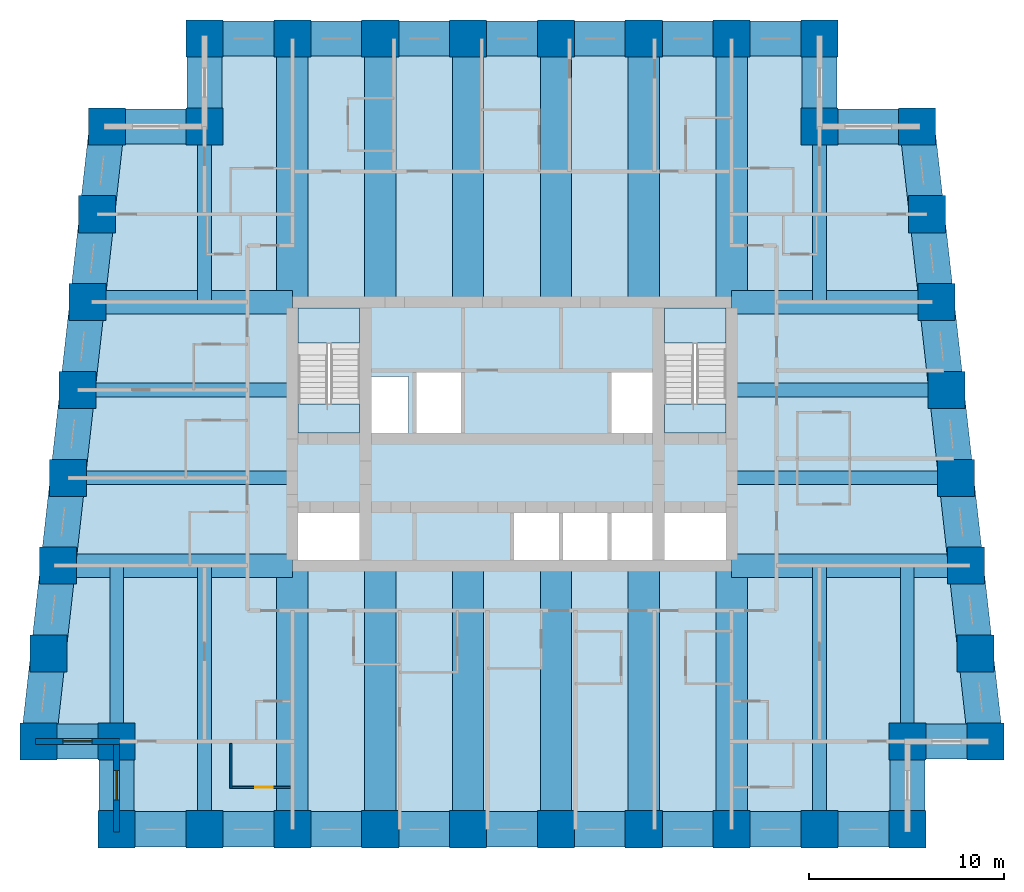
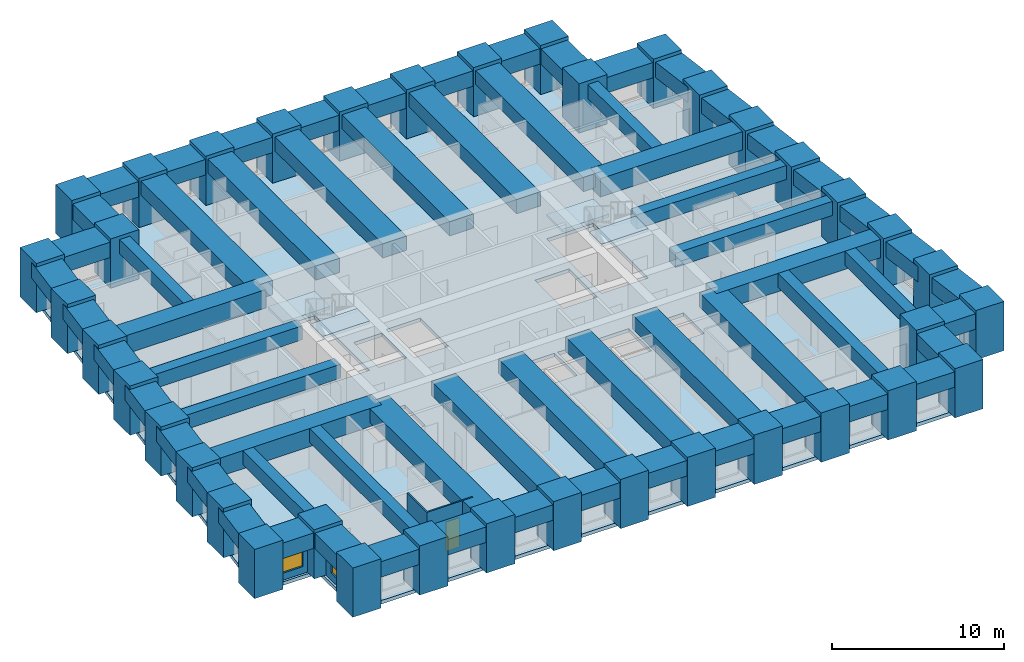
# One storey, part 1 of 8: 64 beams, 38 columns, 5 slabs, 4 walls, 2 windows, 1 door, 3 openings, 2 elements without a shape of their own.
"""IFC4 building model written with IfcOpenShell, lengths in metres."""

import ifcopenshell
import ifcopenshell.guid

model = None  # the IFC model being written
_history = None  # IfcOwnerHistory: only IFC2X3 demands one
_inside = {}  # id of a spatial element -> (the spatial element, [elements in it])
_under = {}  # id of a project, library or spatial element -> (it, [spatial elements below it])
_declared = {}  # id of a project -> (the project, [libraries it declares])
_typed = {}  # id of a type object -> (the type object, [elements of that type])
_made_of = {}  # id of a material, layer set ... -> (it, [elements and type objects made of it])


def new_model(schema):
    """Start an empty IFC model of exactly this schema.

    Asked for "IFC4X3", IfcOpenShell would pick the latest addendum, in which some entities
    have other attributes; the version numbers below select the first issue.
    IFC2X3 requires an IfcOwnerHistory on every rooted entity: one is made here for all.
    """
    global model, _history
    if schema == "IFC4X3":
        model = ifcopenshell.file(schema_version=(4, 3, 0, 0))
    else:
        model = ifcopenshell.file(schema=schema)
    _inside.clear()
    _under.clear()
    _declared.clear()
    _typed.clear()
    _made_of.clear()
    _history = None
    if model.schema == "IFC2X3":
        org = make("IfcOrganization", Name="unknown")
        user = make(
            "IfcPersonAndOrganization",
            ThePerson=make("IfcPerson", FamilyName="unknown"),
            TheOrganization=org,
        )
        app = make(
            "IfcApplication",
            ApplicationDeveloper=org,
            Version="unknown",
            ApplicationFullName="unknown",
            ApplicationIdentifier="unknown",
        )
        _history = make(
            "IfcOwnerHistory",
            OwningUser=user,
            OwningApplication=app,
            ChangeAction="ADDED",
            CreationDate=0,
        )
    return model


def make(cls, **values):
    """One entity of the class cls with the attributes given. An attribute that is None is left unset."""
    return model.create_entity(
        cls, **{name: value for name, value in values.items() if value is not None}
    )


def rooted(cls, **values):
    """An entity with a GlobalId (a new one), such as an element, a storey or a relation."""
    return make(cls, GlobalId=ifcopenshell.guid.new(), OwnerHistory=_history, **values)


def si_unit(unit_type, name, prefix=None):
    """IfcSIUnit, for example si_unit("LENGTHUNIT", "METRE", prefix="MILLI")."""
    return make("IfcSIUnit", UnitType=unit_type, Prefix=prefix, Name=name)


def assignment(units):
    """IfcUnitAssignment: the units of a project."""
    return None if units is None else make("IfcUnitAssignment", Units=units)


def point(xyz):
    """IfcCartesianPoint."""
    return None if xyz is None else make("IfcCartesianPoint", Coordinates=xyz)


def direction(xyz):
    """IfcDirection."""
    return None if xyz is None else make("IfcDirection", DirectionRatios=xyz)


def frame(location, z_axis=None, x_axis=None):
    """IfcAxis2Placement3D, a coordinate frame: its origin and axes. An axis left out is left unset."""
    return make(
        "IfcAxis2Placement3D",
        Location=point(location),
        Axis=direction(z_axis),
        RefDirection=direction(x_axis),
    )


def frame_2d(location, x_axis=None):
    """IfcAxis2Placement2D, a coordinate frame in the plane: its origin and x axis."""
    return make(
        "IfcAxis2Placement2D", Location=point(location), RefDirection=direction(x_axis)
    )


def origin():
    """The frame at (0, 0, 0) with its axes left unset."""
    return frame((0.0, 0.0, 0.0))


def origin_2d():
    """The frame at (0, 0) in the plane with its x axis left unset."""
    return frame_2d((0.0, 0.0))


def place(relative_to, where):
    """IfcLocalPlacement: puts the frame where relative to a parent placement (None: the world)."""
    return make(
        "IfcLocalPlacement", PlacementRelTo=relative_to, RelativePlacement=where
    )


def context(
    kind, dimensions, precision=None, world=None, true_north=None, identifier=None
):
    """IfcGeometricRepresentationContext, for example the 3D "Model" context."""
    return make(
        "IfcGeometricRepresentationContext",
        ContextIdentifier=identifier,
        ContextType=kind,
        CoordinateSpaceDimension=dimensions,
        Precision=precision,
        WorldCoordinateSystem=world,
        TrueNorth=true_north,
    )


def subcontext(parent, identifier, kind, view, scale=None):
    """IfcGeometricRepresentationSubContext, for example "Body" below "Model"."""
    return make(
        "IfcGeometricRepresentationSubContext",
        ContextIdentifier=identifier,
        ContextType=kind,
        ParentContext=parent,
        TargetScale=scale,
        TargetView=view,
    )


def project(units=None, contexts=None):
    """IfcProject with its units and contexts."""
    return rooted(
        "IfcProject",
        Name="project",
        RepresentationContexts=contexts,
        UnitsInContext=assignment(units),
    )


def spatial(cls, under=None, at=None, **own):
    """A site, building, storey or space (cls), placed at a placement, below another one or the project."""
    s = rooted(cls, ObjectPlacement=at, **own)
    if under is not None:
        _under.setdefault(under.id(), (under, []))[1].append(s)
    return s


def polyline(points):
    """IfcPolyline through the points."""
    return make("IfcPolyline", Points=[point(p) for p in points])


def profile(cls, at=None, kind="AREA", **sizes):
    """A parametric profile (cls). Its sizes go by their IFC names, for example OverallWidth=200.0."""
    return make(cls, ProfileType=kind, Position=at, **sizes)


def rectangle(**sizes):
    """IfcRectangleProfileDef."""
    return profile("IfcRectangleProfileDef", **sizes)


def outline(outer, holes=None, kind="AREA"):
    """IfcArbitraryClosedProfileDef: a profile drawn as a closed curve; with holes, ...WithVoids."""
    if holes is None:
        return make("IfcArbitraryClosedProfileDef", ProfileType=kind, OuterCurve=outer)
    return make(
        "IfcArbitraryProfileDefWithVoids",
        ProfileType=kind,
        OuterCurve=outer,
        InnerCurves=holes,
    )


def extrude(swept, where, along, depth):
    """IfcExtrudedAreaSolid: the profile swept, set in the frame where, extruded along a direction by depth."""
    return make(
        "IfcExtrudedAreaSolid",
        SweptArea=swept,
        Position=where,
        ExtrudedDirection=direction(along),
        Depth=depth,
    )


def shape(context_of_items, identifier, shape_type, items):
    """IfcShapeRepresentation: the items that make up one representation, for example the "Body"."""
    return make(
        "IfcShapeRepresentation",
        ContextOfItems=context_of_items,
        RepresentationIdentifier=identifier,
        RepresentationType=shape_type,
        Items=items,
    )


def material(Name=None, Category=None):
    """IfcMaterial."""
    return make("IfcMaterial", Name=Name, Category=Category)


def layer(
    of_material, thickness, ventilated=None, Name=None, Category=None, Priority=None
):
    """IfcMaterialLayer: one layer of a wall or slab, of a material (None: an air gap)."""
    return make(
        "IfcMaterialLayer",
        Material=of_material,
        LayerThickness=thickness,
        IsVentilated=ventilated,
        Name=Name,
        Category=Category,
        Priority=Priority,
    )


def layer_set(layers, Name=None):
    """IfcMaterialLayerSet."""
    return make("IfcMaterialLayerSet", MaterialLayers=layers, LayerSetName=Name)


def material_profile(
    of_material, cross_section, Name=None, Category=None, Priority=None
):
    """IfcMaterialProfile: a cross section and its material."""
    return make(
        "IfcMaterialProfile",
        Name=Name,
        Material=of_material,
        Profile=cross_section,
        Priority=Priority,
        Category=Category,
    )


def profile_set(profiles, Name=None, composite=None):
    """IfcMaterialProfileSet."""
    return make(
        "IfcMaterialProfileSet",
        Name=Name,
        MaterialProfiles=profiles,
        CompositeProfile=composite,
    )


def made_of(thing, what):
    """Note that an element or type object is made of a material, layer set ...; save() writes the relation."""
    if what is not None:
        _made_of.setdefault(what.id(), (what, []))[1].append(thing)
    return thing


def type_object(cls, material=None, **own):
    """A type object (cls), such as IfcWallType, which elements share."""
    return made_of(rooted(cls, **own), material)


def element(
    cls,
    number,
    at=None,
    inside=None,
    cuts=None,
    type_object=None,
    material=None,
    context=None,
    identifier="Body",
    shape_type=None,
    held_by="IfcProductDefinitionShape",
    body=None,
    shapes=None,
    **own,
):
    """One element of the class cls, such as IfcWall. Its Tag is "e" and its number.

    at: its placement. inside: the storey or other place that contains it. cuts: it is an
    opening in that element (IfcRelVoidsElement). A single representation is given by context,
    identifier, shape_type and body (its items); several are given by shapes. held_by: the class
    of the entity that holds the representations. save() writes the other relations.
    """
    e = rooted(cls, Tag="e%d" % number, ObjectPlacement=at, **own)
    if body is not None:
        shapes = [shape(context, identifier, shape_type, body)]
    if shapes is not None:
        e.Representation = make(held_by, Representations=shapes)
    if inside is not None:
        _inside.setdefault(inside.id(), (inside, []))[1].append(e)
    if cuts is not None:
        rooted(
            "IfcRelVoidsElement", RelatingBuildingElement=cuts, RelatedOpeningElement=e
        )
    if type_object is not None:
        _typed.setdefault(type_object.id(), (type_object, []))[1].append(e)
    return made_of(e, material)


def fill(opening, filler):
    """IfcRelFillsElement: the door or window that sits in an opening."""
    return rooted(
        "IfcRelFillsElement",
        RelatingOpeningElement=opening,
        RelatedBuildingElement=filler,
    )


def aggregate(whole, parts):
    """IfcRelAggregates: a whole, such as a stair, and the parts it consists of."""
    return rooted("IfcRelAggregates", RelatingObject=whole, RelatedObjects=parts)


def save(model, path):
    """Write the relations noted so far, then the file.

    IfcRelAggregates (storeys below a building ...), IfcRelContainedInSpatialStructure (elements
    in a storey), IfcRelDefinesByType, IfcRelAssociatesMaterial and IfcRelDeclares: one each for
    every whole, place, type object, material and project.
    """
    for whole, parts in _under.values():
        aggregate(whole, parts)
    for where, things in _inside.values():
        rooted(
            "IfcRelContainedInSpatialStructure",
            RelatedElements=things,
            RelatingStructure=where,
        )
    for kind, things in _typed.values():
        rooted("IfcRelDefinesByType", RelatedObjects=things, RelatingType=kind)
    for what, things in _made_of.values():
        rooted("IfcRelAssociatesMaterial", RelatedObjects=things, RelatingMaterial=what)
    for by, libraries in _declared.values():
        rooted("IfcRelDeclares", RelatingContext=by, RelatedDefinitions=libraries)
    model.write(path)


model = new_model("IFC4")

# Units and contexts
model_context = context("Model", 3, precision=1e-05, world=origin(), true_north=direction((0.0, 1.0)))
body_context = subcontext(model_context, "Body", "Model", "MODEL_VIEW")
ifc_project = project(units=[si_unit("LENGTHUNIT", "METRE"), si_unit("AREAUNIT", "SQUARE_METRE"), si_unit("VOLUMEUNIT", "CUBIC_METRE"), si_unit("PLANEANGLEUNIT", "RADIAN"), si_unit("MASSUNIT", "GRAM", prefix="KILO")], contexts=[model_context])

# Site, building, storey
site_placement = place(None, origin())
site = spatial("IfcSite", under=ifc_project, at=site_placement, CompositionType="ELEMENT")
building_placement = place(site_placement, origin())
building = spatial("IfcBuilding", under=site, at=building_placement, Name="Kilele Tower Hotel", CompositionType="ELEMENT")
storey_placement = place(building_placement, frame((0.0, 0.0, 128.39990234375)))
storey = spatial("IfcBuildingStorey", under=building, at=storey_placement, Name="L33", CompositionType="ELEMENT", Elevation=128.39990234375)

# Columns
ifc_material_1 = material(Name="Concrete C70/85", Category="concrete")
ifc_material_profile_1 = material_profile(ifc_material_1, rectangle(XDim=1.89990234375, YDim=1.89990234375, at=origin_2d()))
ifc_profile_set_1 = profile_set([ifc_material_profile_1], Name="Concrete C70/85")
column_type = type_object("IfcColumnType", Name="Tube column RC 1900x1900 C70/85", PredefinedType="COLUMN", material=ifc_profile_set_1)
for number, where, z_axis, x_axis, name in (
    (1, (0.5, 4.5, 0.0), (0.0, 0.0, 1.0), (1.0, 0.0, 0.0), "Column TC2 L33"),
    (2, (4.5, 4.5, 0.0), (0.0, 0.0, 1.0), (1.0, 0.0, 0.0), "Column TC2 L33"),
    (3, (4.5, 0.0, 0.0), (0.0, 0.0, 1.0), (1.0, 0.0, 0.0), "Column TC2 L33"),
    (4, (9.0, 0.0, 0.0), (0.0, 0.0, 1.0), (1.0, 0.0, 0.0), "Column TC2 L33"),
    (5, (13.5, 0.0, 0.0), (0.0, 0.0, 1.0), (1.0, 0.0, 0.0), "Column TC2 L33"),
    (6, (18.0, 0.0, 0.0), (0.0, 0.0, 1.0), (1.0, 0.0, 0.0), "Column TC2 L33"),
    (7, (22.5, 0.0, 0.0), (0.0, 0.0, 1.0), (1.0, 0.0, 0.0), "Column TC2 L33"),
    (8, (27.0, 0.0, 0.0), (0.0, 0.0, 1.0), (1.0, 0.0, 0.0), "Column TC2 L33"),
    (9, (31.5, 0.0, 0.0), (0.0, 0.0, 1.0), (1.0, 0.0, 0.0), "Column TC2 L33"),
    (10, (36.0, 0.0, 0.0), (0.0, 0.0, 1.0), (1.0, 0.0, 0.0), "Column TC2 L33"),
    (11, (40.5, 0.0, 0.0), (0.0, 0.0, 1.0), (1.0, 0.0, 0.0), "Column TC2 L33"),
    (12, (45.0, 0.0, 0.0), (0.0, 0.0, 1.0), (1.0, 0.0, 0.0), "Column TC2 L33"),
    (13, (45.0, 4.5, 0.0), (0.0, 0.0, 1.0), (1.0, 0.0, 0.0), "Column TC2 L33"),
    (14, (49.0, 4.5, 0.0), (0.0, 0.0, 1.0), (1.0, 0.0, 0.0), "Column TC2 L33"),
    (15, (48.5, 9.0, 0.0), (0.0, 0.0, 1.0), (1.0, 0.0, 0.0), "Column TC2 L33"),
    (16, (48.0, 13.5, 0.0), (0.0, 0.0, 1.0), (1.0, 0.0, 0.0), "Column TC2 L33"),
    (17, (47.5, 18.0, 0.0), (0.0, 0.0, 1.0), (1.0, 0.0, 0.0), "Column TC2 L33"),
    (18, (47.0, 22.5, 0.0), (0.0, 0.0, 1.0), (1.0, 0.0, 0.0), "Column TC2 L33"),
    (19, (46.5, 27.0, 0.0), (0.0, 0.0, 1.0), (1.0, 0.0, 0.0), "Column TC2 L33"),
    (20, (46.0, 31.5, 0.0), (0.0, 0.0, 1.0), (1.0, 0.0, 0.0), "Column TC2 L33"),
    (21, (45.5, 36.0, 0.0), (0.0, 0.0, 1.0), (1.0, 0.0, 0.0), "Column TC2 L33"),
    (22, (40.5, 36.0, 0.0), (0.0, 0.0, 1.0), (1.0, 0.0, 0.0), "Column TC2 L33"),
    (23, (40.5, 40.5, 0.0), (0.0, 0.0, 1.0), (1.0, 0.0, 0.0), "Column TC2 L33"),
    (24, (36.0, 40.5, 0.0), (0.0, 0.0, 1.0), (1.0, 0.0, 0.0), "Column TC2 L33"),
    (25, (31.5, 40.5, 0.0), (0.0, 0.0, 1.0), (1.0, 0.0, 0.0), "Column TC2 L33"),
    (26, (27.0, 40.5, 0.0), (0.0, 0.0, 1.0), (1.0, 0.0, 0.0), "Column TC2 L33"),
    (27, (22.5, 40.5, 0.0), (0.0, 0.0, 1.0), (1.0, 0.0, 0.0), "Column TC2 L33"),
    (28, (18.0, 40.5, 0.0), (0.0, 0.0, 1.0), (1.0, 0.0, 0.0), "Column TC2 L33"),
    (29, (13.5, 40.5, 0.0), (0.0, 0.0, 1.0), (1.0, 0.0, 0.0), "Column TC2 L33"),
    (30, (9.0, 40.5, 0.0), (0.0, 0.0, 1.0), (1.0, 0.0, 0.0), "Column TC2 L33"),
    (31, (9.0, 36.0, 0.0), (0.0, 0.0, 1.0), (1.0, 0.0, 0.0), "Column TC2 L33"),
    (32, (4.0, 36.0, 0.0), (0.0, 0.0, 1.0), (1.0, 0.0, 0.0), "Column TC2 L33"),
    (33, (3.5, 31.5, 0.0), (0.0, 0.0, 1.0), (1.0, 0.0, 0.0), "Column TC2 L33"),
    (34, (3.0, 27.0, 0.0), (0.0, 0.0, 1.0), (1.0, 0.0, 0.0), "Column TC2 L33"),
    (35, (2.5, 22.5, 0.0), (0.0, 0.0, 1.0), (1.0, 0.0, 0.0), "Column TC2 L33"),
    (36, (2.0, 18.0, 0.0), (0.0, 0.0, 1.0), (1.0, 0.0, 0.0), "Column TC2 L33"),
    (37, (1.5, 13.5, 0.0), (0.0, 0.0, 1.0), (1.0, 0.0, 0.0), "Column TC2 L33"),
    (38, (1.0, 9.0, 0.0), (0.0, 0.0, 1.0), (1.0, 0.0, 0.0), "Column TC2 L33"),
):
    element("IfcColumn", number, at=place(storey_placement, frame(where, z_axis=z_axis, x_axis=x_axis)), inside=storey, type_object=column_type, Name=name, PredefinedType="COLUMN", context=body_context, shape_type="SweptSolid", body=[
        extrude(rectangle(XDim=1.89990234375, YDim=1.89990234375, at=origin_2d()), origin(), (0.0, 0.0, 1.0), 3.5),
    ])

# Beams
ifc_material_2 = material(Name="Concrete C60/75", Category="concrete")
ifc_material_profile_2 = material_profile(ifc_material_2, rectangle(XDim=1.60009765625, YDim=1.0, at=origin_2d()))
ifc_profile_set_2 = profile_set([ifc_material_profile_2], Name="Concrete C60/75")
beam_type_1 = type_object("IfcBeamType", Name="Beam RC 1600x1000 C60/75", PredefinedType="BEAM", material=ifc_profile_set_2)
for number, where, z_axis, x_axis, name in (
    (39, (13.5, 0.0, 2.75), (0.0, 1.0, 0.0), (-1.0, 0.0, 0.0), "Beam BC1 level L34"),
    (40, (18.0, 0.0, 2.75), (0.0, 1.0, 0.0), (-1.0, 0.0, 0.0), "Beam BC1 level L34"),
    (41, (22.5, 0.0, 2.75), (0.0, 1.0, 0.0), (-1.0, 0.0, 0.0), "Beam BC1 level L34"),
    (42, (27.0, 0.0, 2.75), (0.0, 1.0, 0.0), (-1.0, 0.0, 0.0), "Beam BC1 level L34"),
    (43, (31.5, 0.0, 2.75), (0.0, 1.0, 0.0), (-1.0, 0.0, 0.0), "Beam BC1 level L34"),
    (44, (36.0, 0.0, 2.75), (0.0, 1.0, 0.0), (-1.0, 0.0, 0.0), "Beam BC1 level L34"),
    (45, (36.0, 40.5, 2.75), (0.0, -1.0, 0.0), (1.0, 0.0, 0.0), "Beam BC1 level L34"),
    (46, (31.5, 40.5, 2.75), (0.0, -1.0, 0.0), (1.0, 0.0, 0.0), "Beam BC1 level L34"),
    (47, (27.0, 40.5, 2.75), (0.0, -1.0, 0.0), (1.0, 0.0, 0.0), "Beam BC1 level L34"),
    (48, (22.5, 40.5, 2.75), (0.0, -1.0, 0.0), (1.0, 0.0, 0.0), "Beam BC1 level L34"),
    (49, (18.0, 40.5, 2.75), (0.0, -1.0, 0.0), (1.0, 0.0, 0.0), "Beam BC1 level L34"),
    (50, (13.5, 40.5, 2.75), (0.0, -1.0, 0.0), (1.0, 0.0, 0.0), "Beam BC1 level L34"),
):
    element("IfcBeam", number, at=place(storey_placement, frame(where, z_axis=z_axis, x_axis=x_axis)), inside=storey, type_object=beam_type_1, Name=name, PredefinedType="BEAM", context=body_context, shape_type="SweptSolid", body=[
        extrude(rectangle(XDim=1.60009765625, YDim=1.0, at=origin_2d()), origin(), (0.0, 0.0, 1.0), 13.5),
    ])
ifc_material_3 = material(Name="Concrete C60/75", Category="concrete")
ifc_material_profile_3 = material_profile(ifc_material_3, rectangle(XDim=0.699951171875, YDim=1.0, at=origin_2d()))
ifc_profile_set_3 = profile_set([ifc_material_profile_3], Name="Concrete C60/75")
beam_type_2 = type_object("IfcBeamType", Name="Beam RC 700x1000 C60/75", PredefinedType="BEAM", material=ifc_profile_set_3)
for number, where, z_axis, x_axis, name in (
    (51, (9.0, 0.0, 2.75), (0.0, 1.0, 0.0), (-1.0, 0.0, 0.0), "Beam B4 level L34"),
    (52, (40.5, 0.0, 2.75), (0.0, 1.0, 0.0), (-1.0, 0.0, 0.0), "Beam B4 level L34"),
):
    element("IfcBeam", number, at=place(storey_placement, frame(where, z_axis=z_axis, x_axis=x_axis)), inside=storey, type_object=beam_type_2, Name=name, PredefinedType="BEAM", context=body_context, shape_type="SweptSolid", body=[
        extrude(rectangle(XDim=0.699951171875, YDim=1.0, at=origin_2d()), origin(), (0.0, 0.0, 1.0), 13.5),
    ])
ifc_material_4 = material(Name="Concrete C60/75", Category="concrete")
ifc_material_profile_4 = material_profile(ifc_material_4, rectangle(XDim=0.699951171875, YDim=1.0, at=origin_2d()))
ifc_profile_set_4 = profile_set([ifc_material_profile_4], Name="Concrete C60/75")
beam_type_3 = type_object("IfcBeamType", Name="Beam RC 700x1000 C60/75 mid span", PredefinedType="BEAM", material=ifc_profile_set_4)
for number, where, z_axis, x_axis, name in (
    (53, (4.5, 4.5, 2.75), (0.0, 1.0, 0.0), (-1.0, 0.0, 0.0), "Beam B5 level L34"),
    (54, (45.0, 4.5, 2.75), (0.0, 1.0, 0.0), (-1.0, 0.0, 0.0), "Beam B5 level L34"),
):
    element("IfcBeam", number, at=place(storey_placement, frame(where, z_axis=z_axis, x_axis=x_axis)), inside=storey, type_object=beam_type_3, Name=name, PredefinedType="BEAM", context=body_context, shape_type="SweptSolid", body=[
        extrude(rectangle(XDim=0.699951171875, YDim=1.0, at=origin_2d()), origin(), (0.0, 0.0, 1.0), 9.0),
    ])
beam_1_placement = place(storey_placement, frame((47.5, 18.0, 2.75), z_axis=(-1.0, 0.0, 0.0), x_axis=(0.0, -1.0, 0.0)))
element("IfcBeam", 55, at=beam_1_placement, inside=storey, type_object=beam_type_3, Name="Beam B5 level L34", PredefinedType="BEAM", context=body_context, shape_type="SweptSolid", body=[
    extrude(rectangle(XDim=0.699951171875, YDim=1.0, at=origin_2d()), origin(), (0.0, 0.0, 1.0), 11.5),
])
beam_2_placement = place(storey_placement, frame((47.0, 22.5, 2.75), z_axis=(-1.0, 0.0, 0.0), x_axis=(0.0, -1.0, 0.0)))
element("IfcBeam", 56, at=beam_2_placement, inside=storey, type_object=beam_type_3, Name="Beam B5 level L34", PredefinedType="BEAM", context=body_context, shape_type="SweptSolid", body=[
    extrude(rectangle(XDim=0.699951171875, YDim=1.0, at=origin_2d()), origin(), (0.0, 0.0, 1.0), 11.0),
])
for number, where, z_axis, x_axis, name in (
    (57, (40.5, 36.0, 2.75), (0.0, -1.0, 0.0), (1.0, 0.0, 0.0), "Beam B5 level L34"),
    (58, (9.0, 36.0, 2.75), (0.0, -1.0, 0.0), (1.0, 0.0, 0.0), "Beam B5 level L34"),
):
    element("IfcBeam", number, at=place(storey_placement, frame(where, z_axis=z_axis, x_axis=x_axis)), inside=storey, type_object=beam_type_3, Name=name, PredefinedType="BEAM", context=body_context, shape_type="SweptSolid", body=[
        extrude(rectangle(XDim=0.699951171875, YDim=1.0, at=origin_2d()), origin(), (0.0, 0.0, 1.0), 9.0),
    ])
beam_3_placement = place(storey_placement, frame((2.5, 22.5, 2.75), z_axis=(1.0, 0.0, 0.0), x_axis=(0.0, 1.0, 0.0)))
element("IfcBeam", 59, at=beam_3_placement, inside=storey, type_object=beam_type_3, Name="Beam B5 level L34", PredefinedType="BEAM", context=body_context, shape_type="SweptSolid", body=[
    extrude(rectangle(XDim=0.699951171875, YDim=1.0, at=origin_2d()), origin(), (0.0, 0.0, 1.0), 11.0),
])
beam_4_placement = place(storey_placement, frame((2.0, 18.0, 2.75), z_axis=(1.0, 0.0, 0.0), x_axis=(0.0, 1.0, 0.0)))
element("IfcBeam", 60, at=beam_4_placement, inside=storey, type_object=beam_type_3, Name="Beam B5 level L34", PredefinedType="BEAM", context=body_context, shape_type="SweptSolid", body=[
    extrude(rectangle(XDim=0.699951171875, YDim=1.0, at=origin_2d()), origin(), (0.0, 0.0, 1.0), 11.5),
])
ifc_material_5 = material(Name="Concrete C60/75", Category="concrete")
ifc_material_profile_5 = material_profile(ifc_material_5, rectangle(XDim=1.199951171875, YDim=1.300048828125, at=origin_2d()))
ifc_profile_set_5 = profile_set([ifc_material_profile_5], Name="Concrete C60/75")
beam_type_4 = type_object("IfcBeamType", Name="Girder RC 1200x1300 C60/75", PredefinedType="BEAM", material=ifc_profile_set_5)
for number, where, z_axis, x_axis, name in (
    (61, (48.0, 13.5, 2.60009765625), (-1.0, 0.0, 0.0), (0.0, -1.0, 0.0), "Girder G1 level L34"),
    (62, (1.5, 13.5, 2.60009765625), (1.0, 0.0, 0.0), (0.0, 1.0, 0.0), "Girder G1 level L34"),
):
    element("IfcBeam", number, at=place(storey_placement, frame(where, z_axis=z_axis, x_axis=x_axis)), inside=storey, type_object=beam_type_4, Name=name, PredefinedType="BEAM", context=body_context, shape_type="SweptSolid", body=[
        extrude(rectangle(XDim=1.199951171875, YDim=1.300048828125, at=origin_2d()), origin(), (0.0, 0.0, 1.0), 12.0),
    ])
ifc_material_6 = material(Name="Concrete C60/75", Category="concrete")
ifc_material_profile_6 = material_profile(ifc_material_6, rectangle(XDim=1.199951171875, YDim=1.300048828125, at=origin_2d()))
ifc_profile_set_6 = profile_set([ifc_material_profile_6], Name="Concrete C60/75")
beam_type_5 = type_object("IfcBeamType", Name="Girder RC 1200x1300 C60/75 mid span", PredefinedType="BEAM", material=ifc_profile_set_6)
for number, where, z_axis, x_axis, name in (
    (63, (46.5, 27.0, 2.60009765625), (-1.0, 0.0, 0.0), (0.0, -1.0, 0.0), "Girder G3 level L34"),
    (64, (3.0, 27.0, 2.60009765625), (1.0, 0.0, 0.0), (0.0, 1.0, 0.0), "Girder G3 level L34"),
):
    element("IfcBeam", number, at=place(storey_placement, frame(where, z_axis=z_axis, x_axis=x_axis)), inside=storey, type_object=beam_type_5, Name=name, PredefinedType="BEAM", context=body_context, shape_type="SweptSolid", body=[
        extrude(rectangle(XDim=1.199951171875, YDim=1.300048828125, at=origin_2d()), origin(), (0.0, 0.0, 1.0), 10.5),
    ])
ifc_material_7 = material(Name="Concrete C60/75", Category="concrete")
ifc_material_profile_7 = material_profile(ifc_material_7, rectangle(XDim=1.800048828125, YDim=1.10009765625, at=origin_2d()))
ifc_profile_set_7 = profile_set([ifc_material_profile_7], Name="Concrete C60/75")
beam_type_6 = type_object("IfcBeamType", Name="Spandrel RC 1800x1100 C60/75", PredefinedType="SPANDREL", material=ifc_profile_set_7)
beam_5_placement = place(storey_placement, frame((0.5, 4.5, 2.7001953125), z_axis=(1.0, 0.0, 0.0), x_axis=(0.0, 1.0, 0.0)))
element("IfcBeam", 65, at=beam_5_placement, inside=storey, type_object=beam_type_6, Name="Spandrel SP4 level L34", PredefinedType="SPANDREL", context=body_context, shape_type="SweptSolid", body=[
    extrude(rectangle(XDim=1.800048828125, YDim=1.10009765625, at=origin_2d()), origin(), (0.0, 0.0, 1.0), 4.0),
])
for number, where, z_axis, x_axis, name in (
    (66, (4.5, 4.5, 2.7001953125), (0.0, -1.0, 0.0), (1.0, 0.0, 0.0), "Spandrel SP4 level L34"),
    (67, (4.5, 0.0, 2.7001953125), (1.0, 0.0, 0.0), (0.0, 1.0, 0.0), "Spandrel SP4 level L34"),
    (68, (9.0, 0.0, 2.7001953125), (1.0, 0.0, 0.0), (0.0, 1.0, 0.0), "Spandrel SP4 level L34"),
    (69, (13.5, 0.0, 2.7001953125), (1.0, 0.0, 0.0), (0.0, 1.0, 0.0), "Spandrel SP4 level L34"),
    (70, (18.0, 0.0, 2.7001953125), (1.0, 0.0, 0.0), (0.0, 1.0, 0.0), "Spandrel SP4 level L34"),
    (71, (22.5, 0.0, 2.7001953125), (1.0, 0.0, 0.0), (0.0, 1.0, 0.0), "Spandrel SP4 level L34"),
    (72, (27.0, 0.0, 2.7001953125), (1.0, 0.0, 0.0), (0.0, 1.0, 0.0), "Spandrel SP4 level L34"),
    (73, (31.5, 0.0, 2.7001953125), (1.0, 0.0, 0.0), (0.0, 1.0, 0.0), "Spandrel SP4 level L34"),
    (74, (36.0, 0.0, 2.7001953125), (1.0, 0.0, 0.0), (0.0, 1.0, 0.0), "Spandrel SP4 level L34"),
    (75, (40.5, 0.0, 2.7001953125), (1.0, 0.0, 0.0), (0.0, 1.0, 0.0), "Spandrel SP4 level L34"),
    (76, (45.0, 0.0, 2.7001953125), (0.0, 1.0, 0.0), (-1.0, 0.0, 0.0), "Spandrel SP4 level L34"),
):
    element("IfcBeam", number, at=place(storey_placement, frame(where, z_axis=z_axis, x_axis=x_axis)), inside=storey, type_object=beam_type_6, Name=name, PredefinedType="SPANDREL", context=body_context, shape_type="SweptSolid", body=[
        extrude(rectangle(XDim=1.800048828125, YDim=1.10009765625, at=origin_2d()), origin(), (0.0, 0.0, 1.0), 4.5),
    ])
beam_6_placement = place(storey_placement, frame((45.0, 4.5, 2.7001953125), z_axis=(1.0, 0.0, 0.0), x_axis=(0.0, 1.0, 0.0)))
element("IfcBeam", 77, at=beam_6_placement, inside=storey, type_object=beam_type_6, Name="Spandrel SP4 level L34", PredefinedType="SPANDREL", context=body_context, shape_type="SweptSolid", body=[
    extrude(rectangle(XDim=1.800048828125, YDim=1.10009765625, at=origin_2d()), origin(), (0.0, 0.0, 1.0), 4.0),
])
for number, where, z_axis, x_axis, name in (
    (78, (49.0, 4.5, 2.7001953125), (-0.110431526075, 0.993883734674, 0.0), (-0.993883734674, -0.110431526075, 0.0), "Spandrel SP4 level L34"),
    (79, (48.5, 9.0, 2.7001953125), (-0.110431526075, 0.993883734674, 0.0), (-0.993883734674, -0.110431526075, 0.0), "Spandrel SP4 level L34"),
    (80, (48.0, 13.5, 2.7001953125), (-0.110431526075, 0.993883734674, 0.0), (-0.993883734674, -0.110431526075, 0.0), "Spandrel SP4 level L34"),
    (81, (47.5, 18.0, 2.7001953125), (-0.110431526075, 0.993883734674, 0.0), (-0.993883734674, -0.110431526075, 0.0), "Spandrel SP4 level L34"),
    (82, (47.0, 22.5, 2.7001953125), (-0.110431526075, 0.993883734674, 0.0), (-0.993883734674, -0.110431526075, 0.0), "Spandrel SP4 level L34"),
    (83, (46.5, 27.0, 2.7001953125), (-0.110431526075, 0.993883734674, 0.0), (-0.993883734674, -0.110431526075, 0.0), "Spandrel SP4 level L34"),
    (84, (46.0, 31.5, 2.7001953125), (-0.110431526075, 0.993883734674, 0.0), (-0.993883734674, -0.110431526075, 0.0), "Spandrel SP4 level L34"),
):
    element("IfcBeam", number, at=place(storey_placement, frame(where, z_axis=z_axis, x_axis=x_axis)), inside=storey, type_object=beam_type_6, Name=name, PredefinedType="SPANDREL", context=body_context, shape_type="SweptSolid", body=[
        extrude(rectangle(XDim=1.800048828125, YDim=1.10009765625, at=origin_2d()), origin(), (0.0, 0.0, 1.0), 4.527587890625),
    ])
beam_7_placement = place(storey_placement, frame((45.5, 36.0, 2.7001953125), z_axis=(-1.0, 0.0, 0.0), x_axis=(0.0, -1.0, 0.0)))
element("IfcBeam", 85, at=beam_7_placement, inside=storey, type_object=beam_type_6, Name="Spandrel SP4 level L34", PredefinedType="SPANDREL", context=body_context, shape_type="SweptSolid", body=[
    extrude(rectangle(XDim=1.800048828125, YDim=1.10009765625, at=origin_2d()), origin(), (0.0, 0.0, 1.0), 5.0),
])
for number, where, z_axis, x_axis, name in (
    (86, (40.5, 36.0, 2.7001953125), (0.0, 1.0, 0.0), (-1.0, 0.0, 0.0), "Spandrel SP4 level L34"),
    (87, (40.5, 40.5, 2.7001953125), (-1.0, 0.0, 0.0), (0.0, -1.0, 0.0), "Spandrel SP4 level L34"),
    (88, (36.0, 40.5, 2.7001953125), (-1.0, 0.0, 0.0), (0.0, -1.0, 0.0), "Spandrel SP4 level L34"),
    (89, (31.5, 40.5, 2.7001953125), (-1.0, 0.0, 0.0), (0.0, -1.0, 0.0), "Spandrel SP4 level L34"),
    (90, (27.0, 40.5, 2.7001953125), (-1.0, 0.0, 0.0), (0.0, -1.0, 0.0), "Spandrel SP4 level L34"),
    (91, (22.5, 40.5, 2.7001953125), (-1.0, 0.0, 0.0), (0.0, -1.0, 0.0), "Spandrel SP4 level L34"),
    (92, (18.0, 40.5, 2.7001953125), (-1.0, 0.0, 0.0), (0.0, -1.0, 0.0), "Spandrel SP4 level L34"),
    (93, (13.5, 40.5, 2.7001953125), (-1.0, 0.0, 0.0), (0.0, -1.0, 0.0), "Spandrel SP4 level L34"),
    (94, (9.0, 40.5, 2.7001953125), (0.0, -1.0, 0.0), (1.0, 0.0, 0.0), "Spandrel SP4 level L34"),
):
    element("IfcBeam", number, at=place(storey_placement, frame(where, z_axis=z_axis, x_axis=x_axis)), inside=storey, type_object=beam_type_6, Name=name, PredefinedType="SPANDREL", context=body_context, shape_type="SweptSolid", body=[
        extrude(rectangle(XDim=1.800048828125, YDim=1.10009765625, at=origin_2d()), origin(), (0.0, 0.0, 1.0), 4.5),
    ])
beam_8_placement = place(storey_placement, frame((9.0, 36.0, 2.7001953125), z_axis=(-1.0, 0.0, 0.0), x_axis=(0.0, -1.0, 0.0)))
element("IfcBeam", 95, at=beam_8_placement, inside=storey, type_object=beam_type_6, Name="Spandrel SP4 level L34", PredefinedType="SPANDREL", context=body_context, shape_type="SweptSolid", body=[
    extrude(rectangle(XDim=1.800048828125, YDim=1.10009765625, at=origin_2d()), origin(), (0.0, 0.0, 1.0), 5.0),
])
for number, where, z_axis, x_axis, name in (
    (96, (4.0, 36.0, 2.7001953125), (-0.110431526075, -0.993883734674, 0.0), (0.993883734674, -0.110431526075, 0.0), "Spandrel SP4 level L34"),
    (97, (3.5, 31.5, 2.7001953125), (-0.110431526075, -0.993883734674, 0.0), (0.993883734674, -0.110431526075, 0.0), "Spandrel SP4 level L34"),
    (98, (3.0, 27.0, 2.7001953125), (-0.110431526075, -0.993883734674, 0.0), (0.993883734674, -0.110431526075, 0.0), "Spandrel SP4 level L34"),
    (99, (2.5, 22.5, 2.7001953125), (-0.110431526075, -0.993883734674, 0.0), (0.993883734674, -0.110431526075, 0.0), "Spandrel SP4 level L34"),
    (100, (2.0, 18.0, 2.7001953125), (-0.110431526075, -0.993883734674, 0.0), (0.993883734674, -0.110431526075, 0.0), "Spandrel SP4 level L34"),
    (101, (1.5, 13.5, 2.7001953125), (-0.110431526075, -0.993883734674, 0.0), (0.993883734674, -0.110431526075, 0.0), "Spandrel SP4 level L34"),
    (102, (1.0, 9.0, 2.7001953125), (-0.110431526075, -0.993883734674, 0.0), (0.993883734674, -0.110431526075, 0.0), "Spandrel SP4 level L34"),
):
    element("IfcBeam", number, at=place(storey_placement, frame(where, z_axis=z_axis, x_axis=x_axis)), inside=storey, type_object=beam_type_6, Name=name, PredefinedType="SPANDREL", context=body_context, shape_type="SweptSolid", body=[
        extrude(rectangle(XDim=1.800048828125, YDim=1.10009765625, at=origin_2d()), origin(), (0.0, 0.0, 1.0), 4.527587890625),
    ])

# Slab
ifc_material_8 = material(Name="Concrete C60/75", Category="concrete")
ifc_layer_1 = layer(ifc_material_8, 0.25)
ifc_layer_set_1 = layer_set([ifc_layer_1], Name="Concrete C60/75")
slab_type_1 = type_object("IfcSlabType", Name="Floor slab 250", PredefinedType="FLOOR", material=ifc_layer_set_1)
slab_1_placement = place(storey_placement, frame((0.0, 0.0, -0.25)))
element("IfcSlab", 103, at=slab_1_placement, inside=storey, type_object=slab_type_1, Name="Floor slab L33", PredefinedType="FLOOR", context=body_context, shape_type="SweptSolid", body=[
    extrude(outline(polyline([(8.699951171875, 36.300048828125), (8.699951171875, 40.800048828125), (40.800048828125, 40.800048828125), (40.800048828125, 36.300048828125), (45.7685546875, 36.300048828125), (49.335205078125, 4.199951171875), (45.300048828125, 4.199951171875), (45.300048828125, -0.300048828125), (4.199951171875, -0.300048828125), (4.199951171875, 4.199951171875), (0.164794921875, 4.199951171875), (3.7314453125, 36.300048828125), (8.699951171875, 36.300048828125)]), holes=[polyline([(16.949951171875, 16.199951171875), (13.800048828125, 16.199951171875), (13.800048828125, 13.800048828125), (16.949951171875, 13.800048828125), (16.949951171875, 16.199951171875)]), polyline([(35.699951171875, 16.199951171875), (32.550048828125, 16.199951171875), (32.550048828125, 13.800048828125), (35.699951171875, 13.800048828125), (35.699951171875, 16.199951171875)]), polyline([(27.14990234375, 16.39990234375), (24.85009765625, 16.39990234375), (24.85009765625, 13.800048828125), (27.14990234375, 13.800048828125), (27.14990234375, 16.39990234375)]), polyline([(29.64990234375, 13.800048828125), (29.64990234375, 16.39990234375), (27.35009765625, 16.39990234375), (27.35009765625, 13.800048828125), (29.64990234375, 13.800048828125)]), polyline([(32.14990234375, 13.800048828125), (32.14990234375, 16.39990234375), (29.85009765625, 16.39990234375), (29.85009765625, 13.800048828125), (32.14990234375, 13.800048828125)]), polyline([(19.449951171875, 23.199951171875), (17.550048828125, 23.199951171875), (17.550048828125, 20.300048828125), (19.449951171875, 20.300048828125), (19.449951171875, 23.199951171875)]), polyline([(22.14990234375, 23.39990234375), (19.85009765625, 23.39990234375), (19.85009765625, 20.10009765625), (22.14990234375, 20.10009765625), (22.14990234375, 23.39990234375)]), polyline([(32.14990234375, 23.39990234375), (29.85009765625, 23.39990234375), (29.85009765625, 20.10009765625), (32.14990234375, 20.10009765625), (32.14990234375, 23.39990234375)]), polyline([(16.949951171875, 20.300048828125), (16.949951171875, 26.699951171875), (13.800048828125, 26.699951171875), (13.800048828125, 20.300048828125), (16.949951171875, 20.300048828125)]), polyline([(35.699951171875, 20.300048828125), (35.699951171875, 26.699951171875), (32.550048828125, 26.699951171875), (32.550048828125, 20.300048828125), (35.699951171875, 20.300048828125)])]), origin(), (0.0, 0.0, 1.0), 0.25),
])

# Stair, slabs
ifc_material_9 = material(Name="Precast concrete C40/50", Category="concrete")
stair_type = type_object("IfcStairType", Name="Stair 1475 x 3500", PredefinedType="HALF_TURN_STAIR", material=ifc_material_9)
stair_1_placement = place(storey_placement, origin())
stair_1 = element("IfcStair", 104, at=stair_1_placement, inside=storey, type_object=stair_type, Name="Stair 1 L33", PredefinedType="HALF_TURN_STAIR")
ifc_material_10 = material(Name="Precast concrete C40/50", Category="concrete")
ifc_layer_2 = layer(ifc_material_10, 0.199951171875)
ifc_layer_set_2 = layer_set([ifc_layer_2], Name="Precast concrete C40/50")
slab_type_2 = type_object("IfcSlabType", Name="Stair landing 200", PredefinedType="LANDING", material=ifc_layer_set_2)
slab_2_placement = place(storey_placement, frame((0.0, 0.0, 1.550048828125)))
slab_2 = element("IfcSlab", 105, at=slab_2_placement, type_object=slab_type_2, Name="ST1 landing 1", PredefinedType="LANDING", context=body_context, shape_type="SweptSolid", body=[
    extrude(outline(polyline([(13.800048828125, 24.89501953125), (16.949951171875, 24.89501953125), (16.949951171875, 26.699951171875), (13.800048828125, 26.699951171875), (13.800048828125, 24.89501953125)])), origin(), (0.0, 0.0, 1.0), 0.199951171875),
])
slab_3_placement = place(storey_placement, frame((0.0, 0.0, 3.300048828125)))
slab_3 = element("IfcSlab", 106, at=slab_3_placement, type_object=slab_type_2, Name="ST1 landing 2", PredefinedType="LANDING", context=body_context, shape_type="SweptSolid", body=[
    extrude(outline(polyline([(13.800048828125, 20.300048828125), (16.949951171875, 20.300048828125), (16.949951171875, 21.77490234375), (13.800048828125, 21.77490234375), (13.800048828125, 20.300048828125)])), origin(), (0.0, 0.0, 1.0), 0.199951171875),
])
aggregate(stair_1, [slab_2, slab_3])

stair_2_placement = place(storey_placement, origin())
stair_2 = element("IfcStair", 107, at=stair_2_placement, inside=storey, type_object=stair_type, Name="Stair 2 L33", PredefinedType="HALF_TURN_STAIR")
slab_4_placement = place(storey_placement, frame((0.0, 0.0, 1.550048828125)))
slab_4 = element("IfcSlab", 108, at=slab_4_placement, type_object=slab_type_2, Name="ST2 landing 1", PredefinedType="LANDING", context=body_context, shape_type="SweptSolid", body=[
    extrude(outline(polyline([(32.550048828125, 24.89501953125), (35.699951171875, 24.89501953125), (35.699951171875, 26.699951171875), (32.550048828125, 26.699951171875), (32.550048828125, 24.89501953125)])), origin(), (0.0, 0.0, 1.0), 0.199951171875),
])
slab_5_placement = place(storey_placement, frame((0.0, 0.0, 3.300048828125)))
slab_5 = element("IfcSlab", 109, at=slab_5_placement, type_object=slab_type_2, Name="ST2 landing 2", PredefinedType="LANDING", context=body_context, shape_type="SweptSolid", body=[
    extrude(outline(polyline([(32.550048828125, 20.300048828125), (35.699951171875, 20.300048828125), (35.699951171875, 21.77490234375), (32.550048828125, 21.77490234375), (32.550048828125, 20.300048828125)])), origin(), (0.0, 0.0, 1.0), 0.199951171875),
])
aggregate(stair_2, [slab_4, slab_5])

# Wall
ifc_material_11 = material(Name="Moisture-resistant board")
ifc_layer_3 = layer(ifc_material_11, 0.10009765625)
ifc_layer_set_3 = layer_set([ifc_layer_3], Name="Moisture-resistant board")
wall_type_1 = type_object("IfcWallType", Name="Bathroom partition 100", PredefinedType="PLUMBINGWALL", material=ifc_layer_set_3)
wall_1_placement = place(storey_placement, frame((10.35009765625, 4.39990234375, 0.0), z_axis=(0.0, 0.0, 1.0), x_axis=(0.0, -1.0, 0.0)))
element("IfcWall", 110, at=wall_1_placement, inside=storey, type_object=wall_type_1, Name="Bathroom partition 100 L33", PredefinedType="PLUMBINGWALL", context=body_context, shape_type="SweptSolid", body=[
    extrude(rectangle(XDim=2.2998046875, YDim=0.10009765625, at=frame_2d((1.14990234375, 0.0))), origin(), (0.0, 0.0, 1.0), 3.25),
])

# Wall, opening, door
wall_2_placement = place(storey_placement, frame((13.39990234375, 2.14990234375, 0.0), z_axis=(0.0, 0.0, 1.0), x_axis=(-1.0, 0.0, 0.0)))
wall_2 = element("IfcWall", 111, at=wall_2_placement, inside=storey, type_object=wall_type_1, Name="Bathroom partition 100 L33", PredefinedType="PLUMBINGWALL", context=body_context, shape_type="SweptSolid", body=[
    extrude(rectangle(XDim=3.099853515625, YDim=0.10009765625, at=frame_2d((1.5498046875, 0.0))), origin(), (0.0, 0.0, 1.0), 3.25),
])
opening_1_placement = place(wall_2_placement, frame((0.89990234375, 0.0, 0.0)))
opening_1 = element("IfcOpeningElement", 112, at=opening_1_placement, cuts=wall_2, Name="Opening D2A", PredefinedType="OPENING", context=body_context, shape_type="SweptSolid", body=[
    extrude(rectangle(XDim=0.89990234375, YDim=2.10009765625, at=frame_2d((0.449951171875, 1.050048828125))), frame((0.0, 0.06005859375, 0.0), z_axis=(0.0, -1.0, 0.0), x_axis=(1.0, 0.0, 0.0)), (0.0, 0.0, 1.0), 0.1201171875),
])
ifc_material_12 = material(Name="Timber door leaf in hardwood frame", Category="wood")
door_type = type_object("IfcDoorType", Name="Bathroom door 900", OperationType="SINGLE_SWING_LEFT", PredefinedType="DOOR", material=ifc_material_12)
door_placement = place(opening_1_placement, origin())
door = element("IfcDoor", 113, at=door_placement, inside=storey, type_object=door_type, Name="Bathroom door 3319B", OperationType="SINGLE_SWING_LEFT", OverallHeight=2.10009765625, OverallWidth=0.89990234375, PredefinedType="DOOR", context=body_context, shape_type="SweptSolid", body=[
    extrude(rectangle(XDim=0.89990234375, YDim=2.10009765625, at=frame_2d((0.449951171875, 1.050048828125))), frame((0.0, 0.02490234375, 0.0), z_axis=(0.0, -1.0, 0.0), x_axis=(1.0, 0.0, 0.0)), (0.0, 0.0, 1.0), 0.050048828125),
])
fill(opening_1, door)

# Wall, opening, window
ifc_material_13 = material(Name="Concrete C40/50 precast", Category="concrete")
ifc_layer_4 = layer(ifc_material_13, 0.260009765625, Name="Precast backing", Category="LoadBearing")
ifc_material_14 = material(Name="Reconstituted stone finish", Category="masonry")
ifc_layer_5 = layer(ifc_material_14, 0.0400390625, Name="Face mix", Category="Finish")
ifc_layer_set_4 = layer_set([ifc_layer_4, ifc_layer_5], Name="Precast concrete C40/50, reconstituted stone finish")
wall_type_2 = type_object("IfcWallType", Name="Precast stone facade wall 300", PredefinedType="STANDARD", material=ifc_layer_set_4)
wall_3_placement = place(storey_placement, frame((0.35009765625, 4.5, 0.0), z_axis=(0.0, 0.0, 1.0), x_axis=(1.0, 0.0, 0.0)))
wall_3 = element("IfcWall", 114, at=wall_3_placement, inside=storey, type_object=wall_type_2, Name="Facade wall L33 edge 1", PredefinedType="STANDARD", context=body_context, shape_type="SweptSolid", body=[
    extrude(rectangle(XDim=4.2998046875, YDim=0.300048828125, at=frame_2d((2.14990234375, 0.0))), origin(), (0.0, 0.0, 1.0), 2.150146484375),
])
opening_2_placement = place(wall_3_placement, frame((1.39990234375, 0.0, 0.5)))
opening_2 = element("IfcOpeningElement", 115, at=opening_2_placement, cuts=wall_3, Name="Opening W2", PredefinedType="OPENING", context=body_context, shape_type="SweptSolid", body=[
    extrude(rectangle(XDim=1.5, YDim=1.5, at=frame_2d((0.75, 0.75))), frame((0.0, 0.159912109375, 0.0), z_axis=(0.0, -1.0, 0.0), x_axis=(1.0, 0.0, 0.0)), (0.0, 0.0, 1.0), 0.320068359375),
])
ifc_material_15 = material(Name="Aluminium frame, clear double glazing", Category="aluminium")
window_type = type_object("IfcWindowType", Name="Window W2 1500 x 1500", PartitioningType="SINGLE_PANEL", PredefinedType="WINDOW", material=ifc_material_15)
window_1_placement = place(opening_2_placement, origin())
window_1 = element("IfcWindow", 116, at=window_1_placement, inside=storey, type_object=window_type, Name="Window L33", OverallHeight=1.5, OverallWidth=1.5, PartitioningType="SINGLE_PANEL", PredefinedType="WINDOW", context=body_context, shape_type="SweptSolid", body=[
    extrude(rectangle(XDim=1.5, YDim=1.5, at=frame_2d((0.75, 0.75))), frame((0.0, 0.030029296875, 0.0), z_axis=(0.0, -1.0, 0.0), x_axis=(1.0, 0.0, 0.0)), (0.0, 0.0, 1.0), 0.06005859375),
])
fill(opening_2, window_1)

wall_4_placement = place(storey_placement, frame((4.5, 4.64990234375, 0.0), z_axis=(0.0, 0.0, 1.0), x_axis=(0.0, -1.0, 0.0)))
wall_4 = element("IfcWall", 117, at=wall_4_placement, inside=storey, type_object=wall_type_2, Name="Facade wall L33 edge 2", PredefinedType="STANDARD", context=body_context, shape_type="SweptSolid", body=[
    extrude(rectangle(XDim=4.7998046875, YDim=0.300048828125, at=frame_2d((2.39990234375, 0.0))), origin(), (0.0, 0.0, 1.0), 2.150146484375),
])
opening_3_placement = place(wall_4_placement, frame((1.64990234375, 0.0, 0.5)))
opening_3 = element("IfcOpeningElement", 118, at=opening_3_placement, cuts=wall_4, Name="Opening W2", PredefinedType="OPENING", context=body_context, shape_type="SweptSolid", body=[
    extrude(rectangle(XDim=1.5, YDim=1.5, at=frame_2d((0.75, 0.75))), frame((0.0, 0.159912109375, 0.0), z_axis=(0.0, -1.0, 0.0), x_axis=(1.0, 0.0, 0.0)), (0.0, 0.0, 1.0), 0.320068359375),
])
window_2_placement = place(opening_3_placement, origin())
window_2 = element("IfcWindow", 119, at=window_2_placement, inside=storey, type_object=window_type, Name="Window L33", OverallHeight=1.5, OverallWidth=1.5, PartitioningType="SINGLE_PANEL", PredefinedType="WINDOW", context=body_context, shape_type="SweptSolid", body=[
    extrude(rectangle(XDim=1.5, YDim=1.5, at=frame_2d((0.75, 0.75))), frame((0.0, 0.030029296875, 0.0), z_axis=(0.0, -1.0, 0.0), x_axis=(1.0, 0.0, 0.0)), (0.0, 0.0, 1.0), 0.06005859375),
])
fill(opening_3, window_2)

save(model, "model.ifc")
